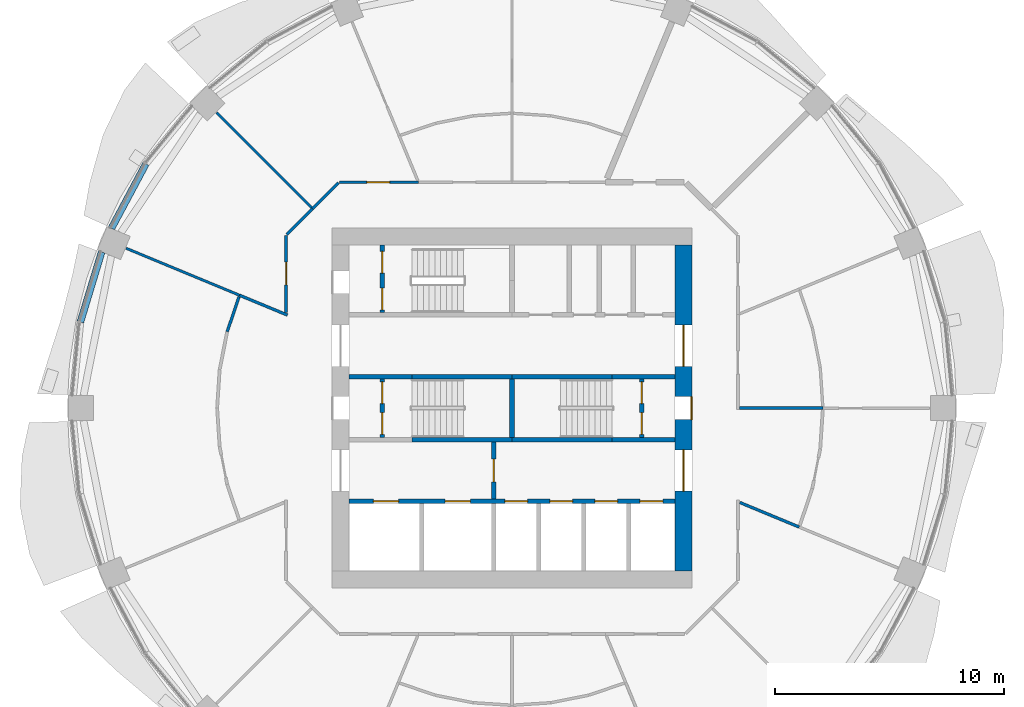
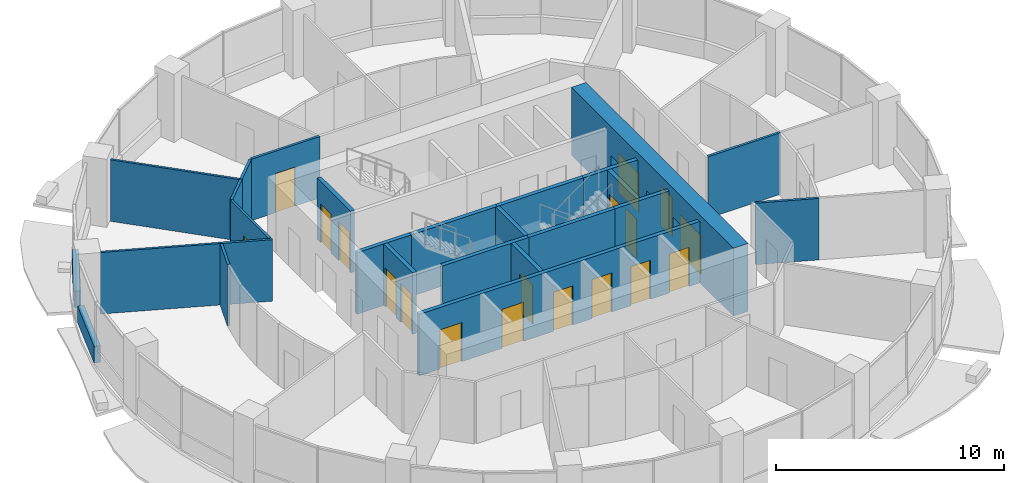
# One storey, part 9 of 15: 26 walls, 18 doors, 18 openings.
"""IFC4 building model written with IfcOpenShell, lengths in metres."""

from ifc_helpers import new_model, si_unit, direction, frame, frame_2d, origin, place, context, subcontext, project, spatial, rectangle, extrude, material, layer, layer_set, type_object, element, fill, save


model = new_model("IFC4")

# Units and contexts
model_context = context("Model", 3, precision=1e-05, world=origin(), true_north=direction((0.0, 1.0)))
body_context = subcontext(model_context, "Body", "Model", "MODEL_VIEW")
ifc_project = project(units=[si_unit("LENGTHUNIT", "METRE"), si_unit("AREAUNIT", "SQUARE_METRE"), si_unit("VOLUMEUNIT", "CUBIC_METRE"), si_unit("PLANEANGLEUNIT", "RADIAN"), si_unit("MASSUNIT", "GRAM", prefix="KILO")], contexts=[model_context])

# Site, building, storey
site_placement = place(None, origin())
site = spatial("IfcSite", under=ifc_project, at=site_placement, CompositionType="ELEMENT")
building_placement = place(site_placement, origin())
building = spatial("IfcBuilding", under=site, at=building_placement, Name="Polderwave Tower", CompositionType="ELEMENT")
storey_placement = place(building_placement, frame((0.0, 0.0, 72.75)))
storey = spatial("IfcBuildingStorey", under=building, at=storey_placement, Name="L18", CompositionType="ELEMENT", Elevation=72.75)

# Wall, openings, doors
ifc_material_1 = material(Name="Concrete C70/85", Category="concrete")
ifc_layer_1 = layer(ifc_material_1, 0.75)
ifc_layer_set_1 = layer_set([ifc_layer_1], Name="CORE WALL 750 C70/85")
wall_type_1 = type_object("IfcWallType", Name="CORE WALL 750 C70/85", PredefinedType="SHEAR", material=ifc_layer_set_1)
wall_1_placement = place(storey_placement, frame((7.4990234375, -7.1240234375, 0.0), z_axis=(0.0, 0.0, 1.0), x_axis=(0.0, 1.0, 0.0)))
wall_1 = element("IfcWall", 1, at=wall_1_placement, inside=storey, type_object=wall_type_1, Name="ST-CORE-L18-E", PredefinedType="SHEAR", context=body_context, shape_type="SweptSolid", body=[
    extrude(rectangle(XDim=14.248046875, YDim=0.75, at=frame_2d((7.1240234375, 0.0))), origin(), (0.0, 0.0, 1.0), 3.64990234375),
])
opening_1_placement = place(wall_1_placement, frame((6.6240234375, 0.0, 0.0)))
opening_1 = element("IfcOpeningElement", 2, at=opening_1_placement, cuts=wall_1, Name="Opening L18-D22", PredefinedType="OPENING", context=body_context, shape_type="SweptSolid", body=[
    extrude(rectangle(XDim=1.0, YDim=2.10009765625, at=frame_2d((0.5, 1.050048828125))), frame((0.0, 0.385009765625, 0.0), z_axis=(0.0, -1.0, 0.0), x_axis=(1.0, 0.0, 0.0)), (0.0, 0.0, 1.0), 0.77001953125),
])
opening_2_placement = place(wall_1_placement, frame((3.49951171875, 0.0, 0.0)))
opening_2 = element("IfcOpeningElement", 3, at=opening_2_placement, cuts=wall_1, Name="Opening L18-D23", PredefinedType="OPENING", context=body_context, shape_type="SweptSolid", body=[
    extrude(rectangle(XDim=1.800048828125, YDim=2.10009765625, at=frame_2d((0.89990234375, 1.050048828125))), frame((0.0, 0.385009765625, 0.0), z_axis=(0.0, -1.0, 0.0), x_axis=(1.0, 0.0, 0.0)), (0.0, 0.0, 1.0), 0.77001953125),
])
opening_3_placement = place(wall_1_placement, frame((8.948486328125, 0.0, 0.0)))
opening_3 = element("IfcOpeningElement", 4, at=opening_3_placement, cuts=wall_1, Name="Opening L18-D24", PredefinedType="OPENING", context=body_context, shape_type="SweptSolid", body=[
    extrude(rectangle(XDim=1.800048828125, YDim=2.10009765625, at=frame_2d((0.89990234375, 1.050048828125))), frame((0.0, 0.385009765625, 0.0), z_axis=(0.0, -1.0, 0.0), x_axis=(1.0, 0.0, 0.0)), (0.0, 0.0, 1.0), 0.77001953125),
])
ifc_material_2 = material(Name="Steel fire door", Category="steel")
door_type_1 = type_object("IfcDoorType", Name="Lobby entry door pair 1800", OperationType="DOUBLE_DOOR_SINGLE_SWING", PredefinedType="DOOR", material=ifc_material_2)
door_1_placement = place(opening_2_placement, frame((1.800048828125, 0.0, 0.0), z_axis=(0.0, 0.0, 1.0), x_axis=(-1.0, 0.0, 0.0)))
door_1 = element("IfcDoor", 5, at=door_1_placement, inside=storey, type_object=door_type_1, Name="South lobby entry door", OperationType="DOUBLE_DOOR_SINGLE_SWING", OverallHeight=2.10009765625, OverallWidth=1.800048828125, PredefinedType="DOOR", context=body_context, shape_type="SweptSolid", body=[
    extrude(rectangle(XDim=1.800048828125, YDim=2.10009765625, at=frame_2d((0.89990234375, 1.050048828125))), frame((0.0, 0.02490234375, 0.0), z_axis=(0.0, -1.0, 0.0), x_axis=(1.0, 0.0, 0.0)), (0.0, 0.0, 1.0), 0.050048828125),
])
fill(opening_2, door_1)
door_2_placement = place(opening_3_placement, frame((1.800048828125, 0.0, 0.0), z_axis=(0.0, 0.0, 1.0), x_axis=(-1.0, 0.0, 0.0)))
door_2 = element("IfcDoor", 6, at=door_2_placement, inside=storey, type_object=door_type_1, Name="North lobby entry door", OperationType="DOUBLE_DOOR_SINGLE_SWING", OverallHeight=2.10009765625, OverallWidth=1.800048828125, PredefinedType="DOOR", context=body_context, shape_type="SweptSolid", body=[
    extrude(rectangle(XDim=1.800048828125, YDim=2.10009765625, at=frame_2d((0.89990234375, 1.050048828125))), frame((0.0, 0.02490234375, 0.0), z_axis=(0.0, -1.0, 0.0), x_axis=(1.0, 0.0, 0.0)), (0.0, 0.0, 1.0), 0.050048828125),
])
fill(opening_3, door_2)
door_type_2 = type_object("IfcDoorType", Name="Stair door 1000", OperationType="NOTDEFINED", PredefinedType="DOOR", material=ifc_material_2)
door_3_placement = place(opening_1_placement, frame((1.0, 0.0, 0.0), z_axis=(0.0, 0.0, 1.0), x_axis=(-1.0, 0.0, 0.0)))
door_3 = element("IfcDoor", 7, at=door_3_placement, inside=storey, type_object=door_type_2, Name="Stair B entry door", OperationType="SINGLE_SWING_LEFT", OverallHeight=2.10009765625, OverallWidth=1.0, PredefinedType="DOOR", context=body_context, shape_type="SweptSolid", body=[
    extrude(rectangle(XDim=1.0, YDim=2.10009765625, at=frame_2d((0.5, 1.050048828125))), frame((0.0, 0.375, 0.0), z_axis=(0.0, -1.0, 0.0), x_axis=(1.0, 0.0, 0.0)), (0.0, 0.0, 1.0), 0.050048828125),
])
fill(opening_1, door_3)

# Walls
ifc_material_3 = material(Name="Concrete C50/60 (board-marked)", Category="concrete")
ifc_layer_2 = layer(ifc_material_3, 0.300048828125)
ifc_layer_set_2 = layer_set([ifc_layer_2], Name="Concrete spandrel upstand C50/60")
wall_type_2 = type_object("IfcWallType", Name="Concrete spandrel upstand C50/60", PredefinedType="SOLIDWALL", material=ifc_layer_set_2)
wall_2_placement = place(storey_placement, frame((-16.004150390625, 10.67578125, 0.0), z_axis=(0.0, 0.0, 1.0), x_axis=(-0.471354692163, -0.8819437364, 0.0)))
element("IfcWall", 8, at=wall_2_placement, inside=storey, type_object=wall_type_2, Name="Spandrel L18 7b", PredefinedType="SOLIDWALL", context=body_context, shape_type="SweptSolid", body=[
    extrude(rectangle(XDim=3.190185546875, YDim=0.300048828125, at=frame_2d((1.59521484375, 0.0))), origin(), (0.0, 0.0, 1.0), 0.89990234375),
])
wall_3_placement = place(storey_placement, frame((-17.939453125, 6.820556640625, 0.0), z_axis=(0.0, 0.0, 1.0), x_axis=(-0.290238876314, -0.956954228099, 0.0)))
element("IfcWall", 9, at=wall_3_placement, inside=storey, type_object=wall_type_2, Name="Spandrel L18 8a", PredefinedType="SOLIDWALL", context=body_context, shape_type="SweptSolid", body=[
    extrude(rectangle(XDim=3.190673828125, YDim=0.300048828125, at=frame_2d((1.59521484375, 0.0))), origin(), (0.0, 0.0, 1.0), 0.89990234375),
])

# Wall, opening, door
ifc_material_4 = material(Name="Gypsum board partition")
ifc_layer_3 = layer(ifc_material_4, 0.199951171875)
ifc_layer_set_3 = layer_set([ifc_layer_3], Name="Core room partition 200")
wall_type_3 = type_object("IfcWallType", Name="Core room partition 200", PredefinedType="PARTITIONING", material=ifc_layer_set_3)
wall_4_placement = place(storey_placement, frame((-0.800048828125, -3.97412109375, 0.0), z_axis=(0.0, 0.0, 1.0), x_axis=(0.0, 1.0, 0.0)))
wall_4 = element("IfcWall", 10, at=wall_4_placement, inside=storey, type_object=wall_type_3, Name="L18 fire-fighting lobby wall", PredefinedType="PARTITIONING", context=body_context, shape_type="SweptSolid", body=[
    extrude(rectangle(XDim=2.4990234375, YDim=0.199951171875, at=frame_2d((1.24951171875, 0.0))), origin(), (0.0, 0.0, 1.0), 3.300048828125),
])
opening_4_placement = place(wall_4_placement, frame((0.74951171875, 0.0, 0.0)))
opening_4 = element("IfcOpeningElement", 11, at=opening_4_placement, cuts=wall_4, Name="Opening L18-D13", PredefinedType="OPENING", context=body_context, shape_type="SweptSolid", body=[
    extrude(rectangle(XDim=1.0, YDim=2.10009765625, at=frame_2d((0.5, 1.050048828125))), frame((0.0, 0.10986328125, 0.0), z_axis=(0.0, -1.0, 0.0), x_axis=(1.0, 0.0, 0.0)), (0.0, 0.0, 1.0), 0.219970703125),
])
door_type_3 = type_object("IfcDoorType", Name="Lobby fire door 1000", OperationType="NOTDEFINED", PredefinedType="DOOR", material=ifc_material_2)
door_4_placement = place(opening_4_placement, frame((1.0, 0.0, 0.0), z_axis=(0.0, 0.0, 1.0), x_axis=(-1.0, 0.0, 0.0)))
door_4 = element("IfcDoor", 12, at=door_4_placement, inside=storey, type_object=door_type_3, Name="Fire-fighting lobby door", OperationType="SINGLE_SWING_LEFT", OverallHeight=2.10009765625, OverallWidth=1.0, PredefinedType="DOOR", context=body_context, shape_type="SweptSolid", body=[
    extrude(rectangle(XDim=1.0, YDim=2.10009765625, at=frame_2d((0.5, 1.050048828125))), frame((0.0, 0.02490234375, 0.0), z_axis=(0.0, -1.0, 0.0), x_axis=(1.0, 0.0, 0.0)), (0.0, 0.0, 1.0), 0.050048828125),
])
fill(opening_4, door_4)

# Wall, openings, doors
wall_5_placement = place(storey_placement, frame((-5.674072265625, -1.27490234375, 0.0), z_axis=(0.0, 0.0, 1.0), x_axis=(0.0, 1.0, 0.0)))
wall_5 = element("IfcWall", 13, at=wall_5_placement, inside=storey, type_object=wall_type_3, Name="L18 smoke lobby wall A", PredefinedType="PARTITIONING", context=body_context, shape_type="SweptSolid", body=[
    extrude(rectangle(XDim=2.5498046875, YDim=0.199951171875, at=frame_2d((1.27490234375, 0.0))), origin(), (0.0, 0.0, 1.0), 3.300048828125),
])
opening_5_placement = place(wall_5_placement, frame((0.125, 0.0, 0.0)))
opening_5 = element("IfcOpeningElement", 14, at=opening_5_placement, cuts=wall_5, Name="Opening L18-D07", PredefinedType="OPENING", context=body_context, shape_type="SweptSolid", body=[
    extrude(rectangle(XDim=0.949951171875, YDim=2.10009765625, at=frame_2d((0.47509765625, 1.050048828125))), frame((0.0, 0.10986328125, 0.0), z_axis=(0.0, -1.0, 0.0), x_axis=(1.0, 0.0, 0.0)), (0.0, 0.0, 1.0), 0.219970703125),
])
opening_6_placement = place(wall_5_placement, frame((1.47509765625, 0.0, 0.0)))
opening_6 = element("IfcOpeningElement", 15, at=opening_6_placement, cuts=wall_5, Name="Opening L18-D08", PredefinedType="OPENING", context=body_context, shape_type="SweptSolid", body=[
    extrude(rectangle(XDim=0.949951171875, YDim=2.10009765625, at=frame_2d((0.47509765625, 1.050048828125))), frame((0.0, 0.10986328125, 0.0), z_axis=(0.0, -1.0, 0.0), x_axis=(1.0, 0.0, 0.0)), (0.0, 0.0, 1.0), 0.219970703125),
])
door_type_4 = type_object("IfcDoorType", Name="Smoke lobby door 950", OperationType="NOTDEFINED", PredefinedType="DOOR", material=ifc_material_2)
door_5_placement = place(opening_5_placement, origin())
door_5 = element("IfcDoor", 16, at=door_5_placement, inside=storey, type_object=door_type_4, Name="Stair A smoke lobby inner door", OperationType="SINGLE_SWING_LEFT", OverallHeight=2.10009765625, OverallWidth=0.949951171875, PredefinedType="DOOR", context=body_context, shape_type="SweptSolid", body=[
    extrude(rectangle(XDim=0.949951171875, YDim=2.10009765625, at=frame_2d((0.47509765625, 1.050048828125))), frame((0.0, 0.02490234375, 0.0), z_axis=(0.0, -1.0, 0.0), x_axis=(1.0, 0.0, 0.0)), (0.0, 0.0, 1.0), 0.050048828125),
])
fill(opening_5, door_5)
door_6_placement = place(opening_6_placement, origin())
door_6 = element("IfcDoor", 17, at=door_6_placement, inside=storey, type_object=door_type_4, Name="Stair A smoke lobby inner door", OperationType="SINGLE_SWING_RIGHT", OverallHeight=2.10009765625, OverallWidth=0.949951171875, PredefinedType="DOOR", context=body_context, shape_type="SweptSolid", body=[
    extrude(rectangle(XDim=0.949951171875, YDim=2.10009765625, at=frame_2d((0.47509765625, 1.050048828125))), frame((0.0, 0.02490234375, 0.0), z_axis=(0.0, -1.0, 0.0), x_axis=(1.0, 0.0, 0.0)), (0.0, 0.0, 1.0), 0.050048828125),
])
fill(opening_6, door_6)

wall_6_placement = place(storey_placement, frame((5.674072265625, -1.27490234375, 0.0), z_axis=(0.0, 0.0, 1.0), x_axis=(0.0, 1.0, 0.0)))
wall_6 = element("IfcWall", 18, at=wall_6_placement, inside=storey, type_object=wall_type_3, Name="L18 smoke lobby wall B", PredefinedType="PARTITIONING", context=body_context, shape_type="SweptSolid", body=[
    extrude(rectangle(XDim=2.5498046875, YDim=0.199951171875, at=frame_2d((1.27490234375, 0.0))), origin(), (0.0, 0.0, 1.0), 3.300048828125),
])
opening_7_placement = place(wall_6_placement, frame((0.125, 0.0, 0.0)))
opening_7 = element("IfcOpeningElement", 19, at=opening_7_placement, cuts=wall_6, Name="Opening L18-D09", PredefinedType="OPENING", context=body_context, shape_type="SweptSolid", body=[
    extrude(rectangle(XDim=0.949951171875, YDim=2.10009765625, at=frame_2d((0.47509765625, 1.050048828125))), frame((0.0, 0.10986328125, 0.0), z_axis=(0.0, -1.0, 0.0), x_axis=(1.0, 0.0, 0.0)), (0.0, 0.0, 1.0), 0.219970703125),
])
opening_8_placement = place(wall_6_placement, frame((1.47509765625, 0.0, 0.0)))
opening_8 = element("IfcOpeningElement", 20, at=opening_8_placement, cuts=wall_6, Name="Opening L18-D10", PredefinedType="OPENING", context=body_context, shape_type="SweptSolid", body=[
    extrude(rectangle(XDim=0.949951171875, YDim=2.10009765625, at=frame_2d((0.47509765625, 1.050048828125))), frame((0.0, 0.10986328125, 0.0), z_axis=(0.0, -1.0, 0.0), x_axis=(1.0, 0.0, 0.0)), (0.0, 0.0, 1.0), 0.219970703125),
])
door_7_placement = place(opening_7_placement, frame((0.949951171875, 0.0, 0.0), z_axis=(0.0, 0.0, 1.0), x_axis=(-1.0, 0.0, 0.0)))
door_7 = element("IfcDoor", 21, at=door_7_placement, inside=storey, type_object=door_type_4, Name="Stair B smoke lobby inner door", OperationType="SINGLE_SWING_RIGHT", OverallHeight=2.10009765625, OverallWidth=0.949951171875, PredefinedType="DOOR", context=body_context, shape_type="SweptSolid", body=[
    extrude(rectangle(XDim=0.949951171875, YDim=2.10009765625, at=frame_2d((0.47509765625, 1.050048828125))), frame((0.0, 0.02490234375, 0.0), z_axis=(0.0, -1.0, 0.0), x_axis=(1.0, 0.0, 0.0)), (0.0, 0.0, 1.0), 0.050048828125),
])
fill(opening_7, door_7)
door_8_placement = place(opening_8_placement, frame((0.949951171875, 0.0, 0.0), z_axis=(0.0, 0.0, 1.0), x_axis=(-1.0, 0.0, 0.0)))
door_8 = element("IfcDoor", 22, at=door_8_placement, inside=storey, type_object=door_type_4, Name="Stair B smoke lobby inner door", OperationType="SINGLE_SWING_LEFT", OverallHeight=2.10009765625, OverallWidth=0.949951171875, PredefinedType="DOOR", context=body_context, shape_type="SweptSolid", body=[
    extrude(rectangle(XDim=0.949951171875, YDim=2.10009765625, at=frame_2d((0.47509765625, 1.050048828125))), frame((0.0, 0.02490234375, 0.0), z_axis=(0.0, -1.0, 0.0), x_axis=(1.0, 0.0, 0.0)), (0.0, 0.0, 1.0), 0.050048828125),
])
fill(opening_8, door_8)

wall_7_placement = place(storey_placement, frame((-5.674072265625, 4.174072265625, 0.0), z_axis=(0.0, 0.0, 1.0), x_axis=(0.0, 1.0, 0.0)))
wall_7 = element("IfcWall", 23, at=wall_7_placement, inside=storey, type_object=wall_type_3, Name="L18 smoke lobby wall C", PredefinedType="PARTITIONING", context=body_context, shape_type="SweptSolid", body=[
    extrude(rectangle(XDim=2.949951171875, YDim=0.199951171875, at=frame_2d((1.47509765625, 0.0))), origin(), (0.0, 0.0, 1.0), 3.300048828125),
])
opening_9_placement = place(wall_7_placement, frame((0.125, 0.0, 0.0)))
opening_9 = element("IfcOpeningElement", 24, at=opening_9_placement, cuts=wall_7, Name="Opening L18-D11", PredefinedType="OPENING", context=body_context, shape_type="SweptSolid", body=[
    extrude(rectangle(XDim=0.949951171875, YDim=2.10009765625, at=frame_2d((0.47509765625, 1.050048828125))), frame((0.0, 0.10986328125, 0.0), z_axis=(0.0, -1.0, 0.0), x_axis=(1.0, 0.0, 0.0)), (0.0, 0.0, 1.0), 0.219970703125),
])
opening_10_placement = place(wall_7_placement, frame((1.72509765625, 0.0, 0.0)))
opening_10 = element("IfcOpeningElement", 25, at=opening_10_placement, cuts=wall_7, Name="Opening L18-D12", PredefinedType="OPENING", context=body_context, shape_type="SweptSolid", body=[
    extrude(rectangle(XDim=0.949951171875, YDim=2.10009765625, at=frame_2d((0.47509765625, 1.050048828125))), frame((0.0, 0.10986328125, 0.0), z_axis=(0.0, -1.0, 0.0), x_axis=(1.0, 0.0, 0.0)), (0.0, 0.0, 1.0), 0.219970703125),
])
door_9_placement = place(opening_9_placement, origin())
door_9 = element("IfcDoor", 26, at=door_9_placement, inside=storey, type_object=door_type_4, Name="Stair C smoke lobby inner door", OperationType="SINGLE_SWING_LEFT", OverallHeight=2.10009765625, OverallWidth=0.949951171875, PredefinedType="DOOR", context=body_context, shape_type="SweptSolid", body=[
    extrude(rectangle(XDim=0.949951171875, YDim=2.10009765625, at=frame_2d((0.47509765625, 1.050048828125))), frame((0.0, 0.02490234375, 0.0), z_axis=(0.0, -1.0, 0.0), x_axis=(1.0, 0.0, 0.0)), (0.0, 0.0, 1.0), 0.050048828125),
])
fill(opening_9, door_9)
door_10_placement = place(opening_10_placement, origin())
door_10 = element("IfcDoor", 27, at=door_10_placement, inside=storey, type_object=door_type_4, Name="Stair C smoke lobby inner door", OperationType="SINGLE_SWING_RIGHT", OverallHeight=2.10009765625, OverallWidth=0.949951171875, PredefinedType="DOOR", context=body_context, shape_type="SweptSolid", body=[
    extrude(rectangle(XDim=0.949951171875, YDim=2.10009765625, at=frame_2d((0.47509765625, 1.050048828125))), frame((0.0, 0.02490234375, 0.0), z_axis=(0.0, -1.0, 0.0), x_axis=(1.0, 0.0, 0.0)), (0.0, 0.0, 1.0), 0.050048828125),
])
fill(opening_10, door_10)

ifc_material_5 = material(Name="Concrete C50/60", Category="concrete")
ifc_layer_4 = layer(ifc_material_5, 0.199951171875)
ifc_layer_set_4 = layer_set([ifc_layer_4], Name="Core web wall 200")
wall_type_4 = type_object("IfcWallType", Name="Core web wall 200", PredefinedType="SHEAR", material=ifc_layer_set_4)
wall_8_placement = place(storey_placement, frame((-7.1240234375, -4.073974609375, 0.0), z_axis=(0.0, 0.0, 1.0), x_axis=(1.0, 0.0, 0.0)))
wall_8 = element("IfcWall", 28, at=wall_8_placement, inside=storey, type_object=wall_type_4, Name="L18 south front wall", PredefinedType="SHEAR", context=body_context, shape_type="SweptSolid", body=[
    extrude(rectangle(XDim=14.248046875, YDim=0.199951171875, at=frame_2d((7.1240234375, 0.0))), origin(), (0.0, 0.0, 1.0), 3.300048828125),
])
opening_11_placement = place(wall_8_placement, frame((1.068603515625, 0.0, 0.0)))
opening_11 = element("IfcOpeningElement", 29, at=opening_11_placement, cuts=wall_8, Name="Opening L18-D01", PredefinedType="OPENING", context=body_context, shape_type="SweptSolid", body=[
    extrude(rectangle(XDim=1.10009765625, YDim=2.10009765625, at=frame_2d((0.550048828125, 1.050048828125))), frame((0.0, 0.10986328125, 0.0), z_axis=(0.0, -1.0, 0.0), x_axis=(1.0, 0.0, 0.0)), (0.0, 0.0, 1.0), 0.219970703125),
])
opening_12_placement = place(wall_8_placement, frame((4.20556640625, 0.0, 0.0)))
opening_12 = element("IfcOpeningElement", 30, at=opening_12_placement, cuts=wall_8, Name="Opening L18-D02", PredefinedType="OPENING", context=body_context, shape_type="SweptSolid", body=[
    extrude(rectangle(XDim=1.10009765625, YDim=2.10009765625, at=frame_2d((0.550048828125, 1.050048828125))), frame((0.0, 0.10986328125, 0.0), z_axis=(0.0, -1.0, 0.0), x_axis=(1.0, 0.0, 0.0)), (0.0, 0.0, 1.0), 0.219970703125),
])
opening_13_placement = place(wall_8_placement, frame((6.80810546875, 0.0, 0.0)))
opening_13 = element("IfcOpeningElement", 31, at=opening_13_placement, cuts=wall_8, Name="Opening L18-D03", PredefinedType="OPENING", context=body_context, shape_type="SweptSolid", body=[
    extrude(rectangle(XDim=1.0, YDim=2.10009765625, at=frame_2d((0.5, 1.050048828125))), frame((0.0, 0.10986328125, 0.0), z_axis=(0.0, -1.0, 0.0), x_axis=(1.0, 0.0, 0.0)), (0.0, 0.0, 1.0), 0.219970703125),
])
opening_14_placement = place(wall_8_placement, frame((8.776611328125, 0.0, 0.0)))
opening_14 = element("IfcOpeningElement", 32, at=opening_14_placement, cuts=wall_8, Name="Opening L18-D04", PredefinedType="OPENING", context=body_context, shape_type="SweptSolid", body=[
    extrude(rectangle(XDim=1.0, YDim=2.10009765625, at=frame_2d((0.5, 1.050048828125))), frame((0.0, 0.10986328125, 0.0), z_axis=(0.0, -1.0, 0.0), x_axis=(1.0, 0.0, 0.0)), (0.0, 0.0, 1.0), 0.219970703125),
])
opening_15_placement = place(wall_8_placement, frame((10.7451171875, 0.0, 0.0)))
opening_15 = element("IfcOpeningElement", 33, at=opening_15_placement, cuts=wall_8, Name="Opening L18-D05", PredefinedType="OPENING", context=body_context, shape_type="SweptSolid", body=[
    extrude(rectangle(XDim=1.0, YDim=2.10009765625, at=frame_2d((0.5, 1.050048828125))), frame((0.0, 0.10986328125, 0.0), z_axis=(0.0, -1.0, 0.0), x_axis=(1.0, 0.0, 0.0)), (0.0, 0.0, 1.0), 0.219970703125),
])
opening_16_placement = place(wall_8_placement, frame((12.7138671875, 0.0, 0.0)))
opening_16 = element("IfcOpeningElement", 34, at=opening_16_placement, cuts=wall_8, Name="Opening L18-D06", PredefinedType="OPENING", context=body_context, shape_type="SweptSolid", body=[
    extrude(rectangle(XDim=1.0, YDim=2.10009765625, at=frame_2d((0.5, 1.050048828125))), frame((0.0, 0.10986328125, 0.0), z_axis=(0.0, -1.0, 0.0), x_axis=(1.0, 0.0, 0.0)), (0.0, 0.0, 1.0), 0.219970703125),
])
ifc_material_6 = material(Name="Stainless steel", Category="steel")
door_type_5 = type_object("IfcDoorType", Name="Fire-fighting lift landing door 1100", OperationType="DOUBLE_DOOR_SLIDING", PredefinedType="DOOR", material=ifc_material_6)
door_11_placement = place(opening_11_placement, origin())
door_11 = element("IfcDoor", 35, at=door_11_placement, inside=storey, type_object=door_type_5, Name="Fire-fighting lift FF1 landing door", OperationType="DOUBLE_DOOR_SLIDING", OverallHeight=2.10009765625, OverallWidth=1.10009765625, PredefinedType="DOOR", context=body_context, shape_type="SweptSolid", body=[
    extrude(rectangle(XDim=1.10009765625, YDim=2.10009765625, at=frame_2d((0.550048828125, 1.050048828125))), frame((0.0, 0.02490234375, 0.0), z_axis=(0.0, -1.0, 0.0), x_axis=(1.0, 0.0, 0.0)), (0.0, 0.0, 1.0), 0.050048828125),
])
fill(opening_11, door_11)
door_12_placement = place(opening_12_placement, origin())
door_12 = element("IfcDoor", 36, at=door_12_placement, inside=storey, type_object=door_type_5, Name="Fire-fighting lift FF2 landing door", OperationType="DOUBLE_DOOR_SLIDING", OverallHeight=2.10009765625, OverallWidth=1.10009765625, PredefinedType="DOOR", context=body_context, shape_type="SweptSolid", body=[
    extrude(rectangle(XDim=1.10009765625, YDim=2.10009765625, at=frame_2d((0.550048828125, 1.050048828125))), frame((0.0, 0.02490234375, 0.0), z_axis=(0.0, -1.0, 0.0), x_axis=(1.0, 0.0, 0.0)), (0.0, 0.0, 1.0), 0.050048828125),
])
fill(opening_12, door_12)
door_type_6 = type_object("IfcDoorType", Name="Lift landing door 1000", OperationType="DOUBLE_DOOR_SLIDING", PredefinedType="DOOR", material=ifc_material_6)
door_13_placement = place(opening_13_placement, origin())
door_13 = element("IfcDoor", 37, at=door_13_placement, inside=storey, type_object=door_type_6, Name="Lift LL1 landing door", OperationType="DOUBLE_DOOR_SLIDING", OverallHeight=2.10009765625, OverallWidth=1.0, PredefinedType="DOOR", context=body_context, shape_type="SweptSolid", body=[
    extrude(rectangle(XDim=1.0, YDim=2.10009765625, at=frame_2d((0.5, 1.050048828125))), frame((0.0, 0.02490234375, 0.0), z_axis=(0.0, -1.0, 0.0), x_axis=(1.0, 0.0, 0.0)), (0.0, 0.0, 1.0), 0.050048828125),
])
fill(opening_13, door_13)
door_14_placement = place(opening_14_placement, origin())
door_14 = element("IfcDoor", 38, at=door_14_placement, inside=storey, type_object=door_type_6, Name="Lift LL2 landing door", OperationType="DOUBLE_DOOR_SLIDING", OverallHeight=2.10009765625, OverallWidth=1.0, PredefinedType="DOOR", context=body_context, shape_type="SweptSolid", body=[
    extrude(rectangle(XDim=1.0, YDim=2.10009765625, at=frame_2d((0.5, 1.050048828125))), frame((0.0, 0.02490234375, 0.0), z_axis=(0.0, -1.0, 0.0), x_axis=(1.0, 0.0, 0.0)), (0.0, 0.0, 1.0), 0.050048828125),
])
fill(opening_14, door_14)
door_15_placement = place(opening_15_placement, origin())
door_15 = element("IfcDoor", 39, at=door_15_placement, inside=storey, type_object=door_type_6, Name="Lift LL3 landing door", OperationType="DOUBLE_DOOR_SLIDING", OverallHeight=2.10009765625, OverallWidth=1.0, PredefinedType="DOOR", context=body_context, shape_type="SweptSolid", body=[
    extrude(rectangle(XDim=1.0, YDim=2.10009765625, at=frame_2d((0.5, 1.050048828125))), frame((0.0, 0.02490234375, 0.0), z_axis=(0.0, -1.0, 0.0), x_axis=(1.0, 0.0, 0.0)), (0.0, 0.0, 1.0), 0.050048828125),
])
fill(opening_15, door_15)
door_16_placement = place(opening_16_placement, origin())
door_16 = element("IfcDoor", 40, at=door_16_placement, inside=storey, type_object=door_type_6, Name="Lift LL4 landing door", OperationType="DOUBLE_DOOR_SLIDING", OverallHeight=2.10009765625, OverallWidth=1.0, PredefinedType="DOOR", context=body_context, shape_type="SweptSolid", body=[
    extrude(rectangle(XDim=1.0, YDim=2.10009765625, at=frame_2d((0.5, 1.050048828125))), frame((0.0, 0.02490234375, 0.0), z_axis=(0.0, -1.0, 0.0), x_axis=(1.0, 0.0, 0.0)), (0.0, 0.0, 1.0), 0.050048828125),
])
fill(opening_16, door_16)

# Walls
for number, where, z_axis, x_axis, name in (
    (41, (-4.3740234375, -1.375, 0.0), (0.0, 0.0, 1.0), (1.0, 0.0, 0.0), "L18 south stair wall 2"),
    (42, (0.0, -1.375, 0.0), (0.0, 0.0, 1.0), (1.0, 0.0, 0.0), "L18 south stair wall 3"),
):
    element("IfcWall", number, at=place(storey_placement, frame(where, z_axis=z_axis, x_axis=x_axis)), inside=storey, type_object=wall_type_4, Name=name, PredefinedType="SHEAR", context=body_context, shape_type="SweptSolid", body=[
        extrude(rectangle(XDim=4.3740234375, YDim=0.199951171875, at=frame_2d((2.18701171875, 0.0))), origin(), (0.0, 0.0, 1.0), 3.300048828125),
    ])
for number, where, z_axis, x_axis, name in (
    (43, (4.3740234375, -1.375, 0.0), (0.0, 0.0, 1.0), (1.0, 0.0, 0.0), "L18 south stair wall 4"),
    (44, (-7.1240234375, 1.375, 0.0), (0.0, 0.0, 1.0), (1.0, 0.0, 0.0), "L18 north stair wall 1"),
):
    element("IfcWall", number, at=place(storey_placement, frame(where, z_axis=z_axis, x_axis=x_axis)), inside=storey, type_object=wall_type_4, Name=name, PredefinedType="SHEAR", context=body_context, shape_type="SweptSolid", body=[
        extrude(rectangle(XDim=2.75, YDim=0.199951171875, at=frame_2d((1.375, 0.0))), origin(), (0.0, 0.0, 1.0), 3.300048828125),
    ])
for number, where, z_axis, x_axis, name in (
    (45, (-4.3740234375, 1.375, 0.0), (0.0, 0.0, 1.0), (1.0, 0.0, 0.0), "L18 north stair wall 2"),
    (46, (0.0, 1.375, 0.0), (0.0, 0.0, 1.0), (1.0, 0.0, 0.0), "L18 north stair wall 3"),
):
    element("IfcWall", number, at=place(storey_placement, frame(where, z_axis=z_axis, x_axis=x_axis)), inside=storey, type_object=wall_type_4, Name=name, PredefinedType="SHEAR", context=body_context, shape_type="SweptSolid", body=[
        extrude(rectangle(XDim=4.3740234375, YDim=0.199951171875, at=frame_2d((2.18701171875, 0.0))), origin(), (0.0, 0.0, 1.0), 3.300048828125),
    ])
wall_9_placement = place(storey_placement, frame((4.3740234375, 1.375, 0.0), z_axis=(0.0, 0.0, 1.0), x_axis=(1.0, 0.0, 0.0)))
element("IfcWall", 47, at=wall_9_placement, inside=storey, type_object=wall_type_4, Name="L18 north stair wall 4", PredefinedType="SHEAR", context=body_context, shape_type="SweptSolid", body=[
    extrude(rectangle(XDim=2.75, YDim=0.199951171875, at=frame_2d((1.375, 0.0))), origin(), (0.0, 0.0, 1.0), 3.300048828125),
])
wall_10_placement = place(storey_placement, frame((0.0, -1.27490234375, 0.0), z_axis=(0.0, 0.0, 1.0), x_axis=(0.0, 1.0, 0.0)))
element("IfcWall", 48, at=wall_10_placement, inside=storey, type_object=wall_type_4, Name="L18 wall between the stairs", PredefinedType="SHEAR", context=body_context, shape_type="SweptSolid", body=[
    extrude(rectangle(XDim=2.5498046875, YDim=0.199951171875, at=frame_2d((1.27490234375, 0.0))), origin(), (0.0, 0.0, 1.0), 3.300048828125),
])
ifc_material_7 = material(Name="Fire-resisting board on steel studs", Category="steel")
ifc_layer_5 = layer(ifc_material_7, 0.125)
ifc_layer_set_5 = layer_set([ifc_layer_5], Name="Corridor wall 125 mm EI 60")
wall_type_5 = type_object("IfcWallType", Name="Corridor wall 125 mm EI 60", PredefinedType="PARTITIONING", material=ifc_layer_set_5)
wall_11_placement = place(storey_placement, frame((-8.722412109375, 8.722412109375, 0.0), z_axis=(0.0, 0.0, 1.0), x_axis=(0.707030604857, 0.70718294931, 0.0)))
element("IfcWall", 49, at=wall_11_placement, inside=storey, type_object=wall_type_5, Name="IN-L18-W010", PredefinedType="PARTITIONING", context=body_context, shape_type="SweptSolid", body=[
    extrude(rectangle(XDim=1.6025390625, YDim=0.125, at=frame_2d((0.80126953125, 0.0))), origin(), (0.0, 0.0, 1.0), 3.300048828125),
])

# Wall, opening, door
wall_12_placement = place(storey_placement, frame((-7.545166015625, 9.8740234375, 0.0), z_axis=(0.0, 0.0, 1.0), x_axis=(1.0, 0.0, 0.0)))
wall_12 = element("IfcWall", 50, at=wall_12_placement, inside=storey, type_object=wall_type_5, Name="IN-L18-W011", PredefinedType="PARTITIONING", context=body_context, shape_type="SweptSolid", body=[
    extrude(rectangle(XDim=3.455322265625, YDim=0.125, at=frame_2d((1.7275390625, 0.0))), origin(), (0.0, 0.0, 1.0), 3.300048828125),
])
opening_17_placement = place(wall_12_placement, frame((1.199951171875, 0.0, 0.0)))
opening_17 = element("IfcOpeningElement", 51, at=opening_17_placement, cuts=wall_12, Name="Opening L18-D56", PredefinedType="OPENING", context=body_context, shape_type="SweptSolid", body=[
    extrude(rectangle(XDim=1.0, YDim=2.10009765625, at=frame_2d((0.5, 1.050048828125))), frame((0.0, 0.072509765625, 0.0), z_axis=(0.0, -1.0, 0.0), x_axis=(1.0, 0.0, 0.0)), (0.0, 0.0, 1.0), 0.14501953125),
])
ifc_material_8 = material(Name="Timber fire door leaf", Category="wood")
door_type_7 = type_object("IfcDoorType", Name="Fire door FD30S 1000 x 2100", OperationType="NOTDEFINED", PredefinedType="DOOR", material=ifc_material_8)
door_17_placement = place(opening_17_placement, origin())
door_17 = element("IfcDoor", 52, at=door_17_placement, inside=storey, type_object=door_type_7, Name="Door L18-D56", OperationType="SINGLE_SWING_LEFT", OverallHeight=2.10009765625, OverallWidth=1.0, PredefinedType="DOOR", context=body_context, shape_type="SweptSolid", body=[
    extrude(rectangle(XDim=1.0, YDim=2.10009765625, at=frame_2d((0.5, 1.050048828125))), frame((0.0, 0.02490234375, 0.0), z_axis=(0.0, -1.0, 0.0), x_axis=(1.0, 0.0, 0.0)), (0.0, 0.0, 1.0), 0.050048828125),
])
fill(opening_17, door_17)

wall_13_placement = place(storey_placement, frame((-9.8740234375, 4.183349609375, 0.0), z_axis=(0.0, 0.0, 1.0), x_axis=(0.0, 1.0, 0.0)))
wall_13 = element("IfcWall", 53, at=wall_13_placement, inside=storey, type_object=wall_type_5, Name="IN-L18-W012", PredefinedType="PARTITIONING", context=body_context, shape_type="SweptSolid", body=[
    extrude(rectangle(XDim=3.36181640625, YDim=0.125, at=frame_2d((1.680908203125, 0.0))), origin(), (0.0, 0.0, 1.0), 3.300048828125),
])
opening_18_placement = place(wall_13_placement, frame((1.199951171875, 0.0, 0.0)))
opening_18 = element("IfcOpeningElement", 54, at=opening_18_placement, cuts=wall_13, Name="Opening L18-D57", PredefinedType="OPENING", context=body_context, shape_type="SweptSolid", body=[
    extrude(rectangle(XDim=1.0, YDim=2.10009765625, at=frame_2d((0.5, 1.050048828125))), frame((0.0, 0.072509765625, 0.0), z_axis=(0.0, -1.0, 0.0), x_axis=(1.0, 0.0, 0.0)), (0.0, 0.0, 1.0), 0.14501953125),
])
door_18_placement = place(opening_18_placement, origin())
door_18 = element("IfcDoor", 55, at=door_18_placement, inside=storey, type_object=door_type_7, Name="Door L18-D57", OperationType="SINGLE_SWING_RIGHT", OverallHeight=2.10009765625, OverallWidth=1.0, PredefinedType="DOOR", context=body_context, shape_type="SweptSolid", body=[
    extrude(rectangle(XDim=1.0, YDim=2.10009765625, at=frame_2d((0.5, 1.050048828125))), frame((0.0, 0.02490234375, 0.0), z_axis=(0.0, -1.0, 0.0), x_axis=(1.0, 0.0, 0.0)), (0.0, 0.0, 1.0), 0.050048828125),
])
fill(opening_18, door_18)

# Walls
wall_14_placement = place(storey_placement, frame((-9.855712890625, 7.58935546875, 0.0), z_axis=(0.0, 0.0, 1.0), x_axis=(0.70718294931, 0.707030604857, 0.0)))
element("IfcWall", 56, at=wall_14_placement, inside=storey, type_object=wall_type_5, Name="IN-L18-W013", PredefinedType="PARTITIONING", context=body_context, shape_type="SweptSolid", body=[
    extrude(rectangle(XDim=1.6025390625, YDim=0.125, at=frame_2d((0.80126953125, 0.0))), origin(), (0.0, 0.0, 1.0), 3.300048828125),
])
wall_15_placement = place(storey_placement, frame((13.590087890625, 0.0, 0.0), z_axis=(0.0, 0.0, 1.0), x_axis=(-1.0, 0.0, 0.0)))
element("IfcWall", 57, at=wall_15_placement, inside=storey, type_object=wall_type_5, Name="IN-L18-W026", PredefinedType="PARTITIONING", context=body_context, shape_type="SweptSolid", body=[
    extrude(rectangle(XDim=3.653564453125, YDim=0.125, at=frame_2d((1.82666015625, 0.0))), origin(), (0.0, 0.0, 1.0), 3.300048828125),
])
wall_16_placement = place(storey_placement, frame((-9.81640625, 4.06591796875, 0.0), z_axis=(0.0, 0.0, 1.0), x_axis=(-0.923834180818, 0.382792902694, 0.0)))
element("IfcWall", 58, at=wall_16_placement, inside=storey, type_object=wall_type_5, Name="IN-L18-W043", PredefinedType="PARTITIONING", context=body_context, shape_type="SweptSolid", body=[
    extrude(rectangle(XDim=2.264892578125, YDim=0.125, at=frame_2d((1.13232421875, 0.0))), origin(), (0.0, 0.0, 1.0), 3.300048828125),
])
wall_17_placement = place(storey_placement, frame((-12.449462890625, 3.340087890625, 0.0), z_axis=(0.0, 0.0, 1.0), x_axis=(0.321347174615, 0.946961452947, 0.0)))
element("IfcWall", 59, at=wall_17_placement, inside=storey, type_object=wall_type_5, Name="IN-L18-W049", PredefinedType="PARTITIONING", context=body_context, shape_type="SweptSolid", body=[
    extrude(rectangle(XDim=1.615234375, YDim=0.125, at=frame_2d((0.8076171875, 0.0))), origin(), (0.0, 0.0, 1.0), 3.300048828125),
])
wall_18_placement = place(storey_placement, frame((9.96044921875, -4.125732421875, 0.0), z_axis=(0.0, 0.0, 1.0), x_axis=(0.923869574034, -0.382707473372, 0.0)))
element("IfcWall", 60, at=wall_18_placement, inside=storey, type_object=wall_type_5, Name="IN-L18-W067", PredefinedType="PARTITIONING", context=body_context, shape_type="SweptSolid", body=[
    extrude(rectangle(XDim=2.808837890625, YDim=0.125, at=frame_2d((1.404296875, 0.0))), origin(), (0.0, 0.0, 1.0), 3.300048828125),
])
ifc_material_9 = material(Name="Acoustic double plasterboard on steel studs", Category="steel")
ifc_layer_6 = layer(ifc_material_9, 0.110107421875)
ifc_layer_set_6 = layer_set([ifc_layer_6], Name="Partition 110 mm acoustic double board")
wall_type_6 = type_object("IfcWallType", Name="Partition 110 mm acoustic double board", PredefinedType="PARTITIONING", material=ifc_layer_set_6)
wall_19_placement = place(storey_placement, frame((-8.7666015625, 8.7666015625, 0.0), z_axis=(0.0, 0.0, 1.0), x_axis=(-0.707106781187, 0.707106781187, 0.0)))
element("IfcWall", 61, at=wall_19_placement, inside=storey, type_object=wall_type_6, Name="IN-L18-W042", PredefinedType="PARTITIONING", context=body_context, shape_type="SweptSolid", body=[
    extrude(rectangle(XDim=5.8623046875, YDim=0.110107421875, at=frame_2d((2.93115234375, 0.0))), origin(), (0.0, 0.0, 1.0), 3.300048828125),
])
wall_20_placement = place(storey_placement, frame((-11.90869140625, 4.932861328125, 0.0), z_axis=(0.0, 0.0, 1.0), x_axis=(-0.923889947991, 0.382658286204, 0.0)))
element("IfcWall", 62, at=wall_20_placement, inside=storey, type_object=wall_type_6, Name="IN-L18-W044", PredefinedType="PARTITIONING", context=body_context, shape_type="SweptSolid", body=[
    extrude(rectangle(XDim=5.3701171875, YDim=0.110107421875, at=frame_2d((2.68505859375, 0.0))), origin(), (0.0, 0.0, 1.0), 3.300048828125),
])

save(model, "model.ifc")
